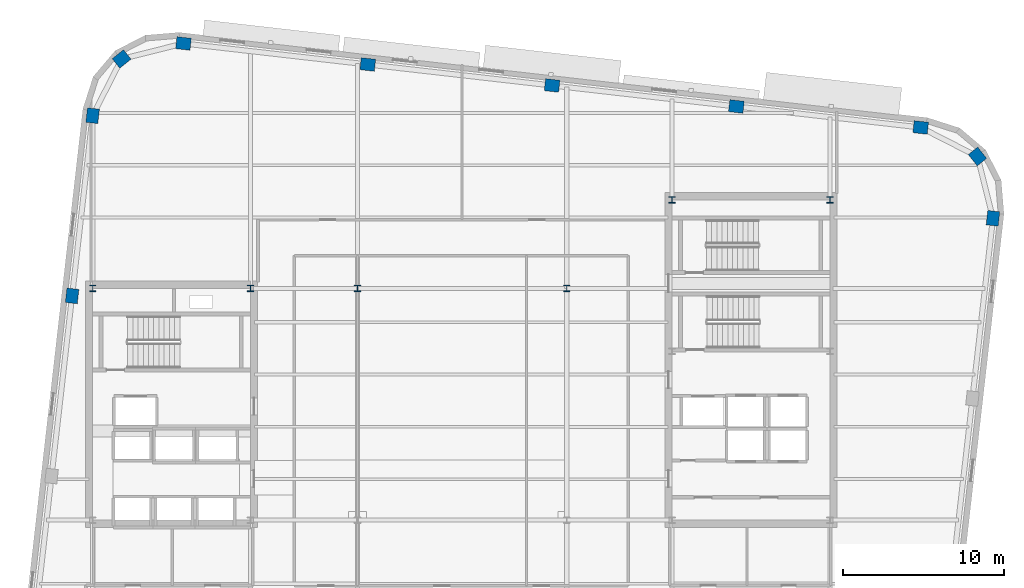
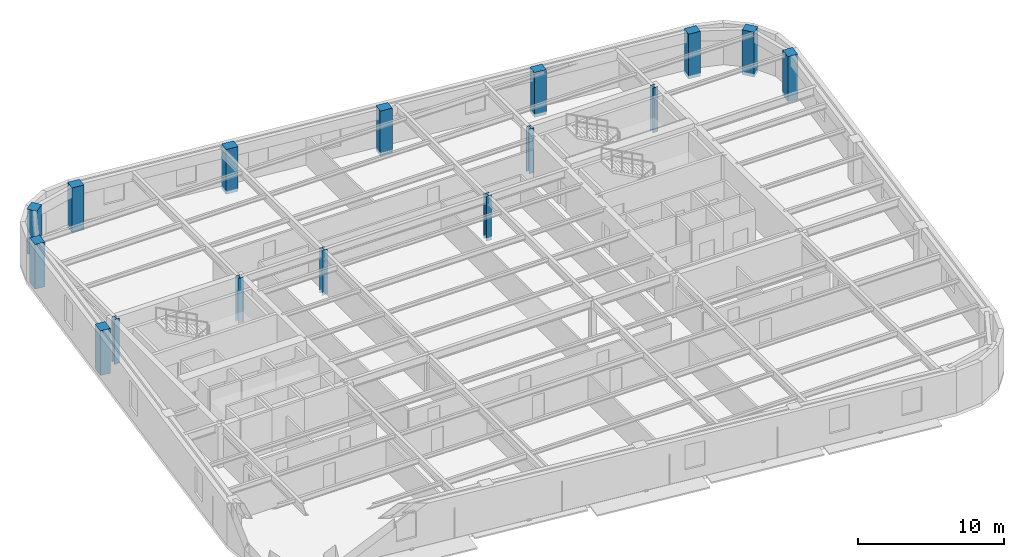
# One storey, part 2 of 12: 16 columns.
"""IFC4 building model written with IfcOpenShell, lengths in metres."""

import ifcopenshell
import ifcopenshell.guid

model = None  # the IFC model being written
_history = None  # IfcOwnerHistory: only IFC2X3 demands one
_inside = {}  # id of a spatial element -> (the spatial element, [elements in it])
_under = {}  # id of a project, library or spatial element -> (it, [spatial elements below it])
_declared = {}  # id of a project -> (the project, [libraries it declares])
_typed = {}  # id of a type object -> (the type object, [elements of that type])
_made_of = {}  # id of a material, layer set ... -> (it, [elements and type objects made of it])


def new_model(schema):
    """Start an empty IFC model of exactly this schema.

    Asked for "IFC4X3", IfcOpenShell would pick the latest addendum, in which some entities
    have other attributes; the version numbers below select the first issue.
    IFC2X3 requires an IfcOwnerHistory on every rooted entity: one is made here for all.
    """
    global model, _history
    if schema == "IFC4X3":
        model = ifcopenshell.file(schema_version=(4, 3, 0, 0))
    else:
        model = ifcopenshell.file(schema=schema)
    _inside.clear()
    _under.clear()
    _declared.clear()
    _typed.clear()
    _made_of.clear()
    _history = None
    if model.schema == "IFC2X3":
        org = make("IfcOrganization", Name="unknown")
        user = make(
            "IfcPersonAndOrganization",
            ThePerson=make("IfcPerson", FamilyName="unknown"),
            TheOrganization=org,
        )
        app = make(
            "IfcApplication",
            ApplicationDeveloper=org,
            Version="unknown",
            ApplicationFullName="unknown",
            ApplicationIdentifier="unknown",
        )
        _history = make(
            "IfcOwnerHistory",
            OwningUser=user,
            OwningApplication=app,
            ChangeAction="ADDED",
            CreationDate=0,
        )
    return model


def make(cls, **values):
    """One entity of the class cls with the attributes given. An attribute that is None is left unset."""
    return model.create_entity(
        cls, **{name: value for name, value in values.items() if value is not None}
    )


def rooted(cls, **values):
    """An entity with a GlobalId (a new one), such as an element, a storey or a relation."""
    return make(cls, GlobalId=ifcopenshell.guid.new(), OwnerHistory=_history, **values)


def si_unit(unit_type, name, prefix=None):
    """IfcSIUnit, for example si_unit("LENGTHUNIT", "METRE", prefix="MILLI")."""
    return make("IfcSIUnit", UnitType=unit_type, Prefix=prefix, Name=name)


def assignment(units):
    """IfcUnitAssignment: the units of a project."""
    return None if units is None else make("IfcUnitAssignment", Units=units)


def point(xyz):
    """IfcCartesianPoint."""
    return None if xyz is None else make("IfcCartesianPoint", Coordinates=xyz)


def direction(xyz):
    """IfcDirection."""
    return None if xyz is None else make("IfcDirection", DirectionRatios=xyz)


def frame(location, z_axis=None, x_axis=None):
    """IfcAxis2Placement3D, a coordinate frame: its origin and axes. An axis left out is left unset."""
    return make(
        "IfcAxis2Placement3D",
        Location=point(location),
        Axis=direction(z_axis),
        RefDirection=direction(x_axis),
    )


def frame_2d(location, x_axis=None):
    """IfcAxis2Placement2D, a coordinate frame in the plane: its origin and x axis."""
    return make(
        "IfcAxis2Placement2D", Location=point(location), RefDirection=direction(x_axis)
    )


def origin():
    """The frame at (0, 0, 0) with its axes left unset."""
    return frame((0.0, 0.0, 0.0))


def origin_2d():
    """The frame at (0, 0) in the plane with its x axis left unset."""
    return frame_2d((0.0, 0.0))


def place(relative_to, where):
    """IfcLocalPlacement: puts the frame where relative to a parent placement (None: the world)."""
    return make(
        "IfcLocalPlacement", PlacementRelTo=relative_to, RelativePlacement=where
    )


def context(
    kind, dimensions, precision=None, world=None, true_north=None, identifier=None
):
    """IfcGeometricRepresentationContext, for example the 3D "Model" context."""
    return make(
        "IfcGeometricRepresentationContext",
        ContextIdentifier=identifier,
        ContextType=kind,
        CoordinateSpaceDimension=dimensions,
        Precision=precision,
        WorldCoordinateSystem=world,
        TrueNorth=true_north,
    )


def subcontext(parent, identifier, kind, view, scale=None):
    """IfcGeometricRepresentationSubContext, for example "Body" below "Model"."""
    return make(
        "IfcGeometricRepresentationSubContext",
        ContextIdentifier=identifier,
        ContextType=kind,
        ParentContext=parent,
        TargetScale=scale,
        TargetView=view,
    )


def project(units=None, contexts=None):
    """IfcProject with its units and contexts."""
    return rooted(
        "IfcProject",
        Name="project",
        RepresentationContexts=contexts,
        UnitsInContext=assignment(units),
    )


def spatial(cls, under=None, at=None, **own):
    """A site, building, storey or space (cls), placed at a placement, below another one or the project."""
    s = rooted(cls, ObjectPlacement=at, **own)
    if under is not None:
        _under.setdefault(under.id(), (under, []))[1].append(s)
    return s


def profile(cls, at=None, kind="AREA", **sizes):
    """A parametric profile (cls). Its sizes go by their IFC names, for example OverallWidth=200.0."""
    return make(cls, ProfileType=kind, Position=at, **sizes)


def rectangle(**sizes):
    """IfcRectangleProfileDef."""
    return profile("IfcRectangleProfileDef", **sizes)


def i_section(**sizes):
    """IfcIShapeProfileDef."""
    return profile("IfcIShapeProfileDef", **sizes)


def extrude(swept, where, along, depth):
    """IfcExtrudedAreaSolid: the profile swept, set in the frame where, extruded along a direction by depth."""
    return make(
        "IfcExtrudedAreaSolid",
        SweptArea=swept,
        Position=where,
        ExtrudedDirection=direction(along),
        Depth=depth,
    )


def shape(context_of_items, identifier, shape_type, items):
    """IfcShapeRepresentation: the items that make up one representation, for example the "Body"."""
    return make(
        "IfcShapeRepresentation",
        ContextOfItems=context_of_items,
        RepresentationIdentifier=identifier,
        RepresentationType=shape_type,
        Items=items,
    )


def material(Name=None, Category=None):
    """IfcMaterial."""
    return make("IfcMaterial", Name=Name, Category=Category)


def material_profile(
    of_material, cross_section, Name=None, Category=None, Priority=None
):
    """IfcMaterialProfile: a cross section and its material."""
    return make(
        "IfcMaterialProfile",
        Name=Name,
        Material=of_material,
        Profile=cross_section,
        Priority=Priority,
        Category=Category,
    )


def profile_set(profiles, Name=None, composite=None):
    """IfcMaterialProfileSet."""
    return make(
        "IfcMaterialProfileSet",
        Name=Name,
        MaterialProfiles=profiles,
        CompositeProfile=composite,
    )


def made_of(thing, what):
    """Note that an element or type object is made of a material, layer set ...; save() writes the relation."""
    if what is not None:
        _made_of.setdefault(what.id(), (what, []))[1].append(thing)
    return thing


def type_object(cls, material=None, **own):
    """A type object (cls), such as IfcWallType, which elements share."""
    return made_of(rooted(cls, **own), material)


def element(
    cls,
    number,
    at=None,
    inside=None,
    cuts=None,
    type_object=None,
    material=None,
    context=None,
    identifier="Body",
    shape_type=None,
    held_by="IfcProductDefinitionShape",
    body=None,
    shapes=None,
    **own,
):
    """One element of the class cls, such as IfcWall. Its Tag is "e" and its number.

    at: its placement. inside: the storey or other place that contains it. cuts: it is an
    opening in that element (IfcRelVoidsElement). A single representation is given by context,
    identifier, shape_type and body (its items); several are given by shapes. held_by: the class
    of the entity that holds the representations. save() writes the other relations.
    """
    e = rooted(cls, Tag="e%d" % number, ObjectPlacement=at, **own)
    if body is not None:
        shapes = [shape(context, identifier, shape_type, body)]
    if shapes is not None:
        e.Representation = make(held_by, Representations=shapes)
    if inside is not None:
        _inside.setdefault(inside.id(), (inside, []))[1].append(e)
    if cuts is not None:
        rooted(
            "IfcRelVoidsElement", RelatingBuildingElement=cuts, RelatedOpeningElement=e
        )
    if type_object is not None:
        _typed.setdefault(type_object.id(), (type_object, []))[1].append(e)
    return made_of(e, material)


def aggregate(whole, parts):
    """IfcRelAggregates: a whole, such as a stair, and the parts it consists of."""
    return rooted("IfcRelAggregates", RelatingObject=whole, RelatedObjects=parts)


def save(model, path):
    """Write the relations noted so far, then the file.

    IfcRelAggregates (storeys below a building ...), IfcRelContainedInSpatialStructure (elements
    in a storey), IfcRelDefinesByType, IfcRelAssociatesMaterial and IfcRelDeclares: one each for
    every whole, place, type object, material and project.
    """
    for whole, parts in _under.values():
        aggregate(whole, parts)
    for where, things in _inside.values():
        rooted(
            "IfcRelContainedInSpatialStructure",
            RelatedElements=things,
            RelatingStructure=where,
        )
    for kind, things in _typed.values():
        rooted("IfcRelDefinesByType", RelatedObjects=things, RelatingType=kind)
    for what, things in _made_of.values():
        rooted("IfcRelAssociatesMaterial", RelatedObjects=things, RelatingMaterial=what)
    for by, libraries in _declared.values():
        rooted("IfcRelDeclares", RelatingContext=by, RelatedDefinitions=libraries)
    model.write(path)


model = new_model("IFC4")

# Units and contexts
model_context = context("Model", 3, precision=1e-05, world=origin(), true_north=direction((0.0, 1.0)))
body_context = subcontext(model_context, "Body", "Model", "MODEL_VIEW")
ifc_project = project(units=[si_unit("LENGTHUNIT", "METRE"), si_unit("AREAUNIT", "SQUARE_METRE"), si_unit("VOLUMEUNIT", "CUBIC_METRE"), si_unit("PLANEANGLEUNIT", "RADIAN"), si_unit("MASSUNIT", "GRAM", prefix="KILO")], contexts=[model_context])

# Site, building, storey
site_placement = place(None, origin())
site = spatial("IfcSite", under=ifc_project, at=site_placement, CompositionType="ELEMENT")
building_placement = place(site_placement, origin())
building = spatial("IfcBuilding", under=site, at=building_placement, Name="Kolvaren Arena Tower", CompositionType="ELEMENT")
storey_placement = place(building_placement, frame((0.0, 0.0, 220.949951171875)))
storey = spatial("IfcBuildingStorey", under=building, at=storey_placement, Name="L53", CompositionType="ELEMENT", Elevation=220.949951171875)

# Columns
ifc_material_1 = material(Name="Precast concrete C55/67", Category="concrete")
ifc_material_profile_1 = material_profile(ifc_material_1, rectangle(XDim=0.89990234375, YDim=0.75, at=origin_2d()), Name="RC-900x750")
ifc_profile_set_1 = profile_set([ifc_material_profile_1], Name="Precast concrete C55/67")
column_type_1 = type_object("IfcColumnType", Name="EXCOL-Z4", PredefinedType="COLUMN", material=ifc_profile_set_1)
for number, where, z_axis, x_axis, name in (
    (1, (70.482177734375, 38.20458984375, -0.27001953125), (0.0, 0.0, 1.0), (0.113203213768, 0.993571855677, 0.0), "Exoskeleton Perimeter Column 10 (L53)"),
    (2, (69.519775390625, 42.047119140625, -0.27001953125), (0.0, 0.0, 1.0), (-0.622514636638, 0.782608156852, 0.0), "Exoskeleton Perimeter Column 11 (L53)"),
    (3, (65.9921875, 43.84912109375, -0.27001953125), (0.0, 0.0, 1.0), (0.993571855677, -0.113203213768, 0.0), "Exoskeleton Perimeter Column 12 (L53)"),
    (4, (54.54150390625, 45.15380859375, -0.27001953125), (0.0, 0.0, 1.0), (0.993571855677, -0.113203213768, 0.0), "Exoskeleton Perimeter Column 13 (L53)"),
    (5, (43.090576171875, 46.45849609375, -0.27001953125), (0.0, 0.0, 1.0), (0.993571855677, -0.113203213768, 0.0), "Exoskeleton Perimeter Column 14 (L53)"),
    (6, (31.6396484375, 47.76318359375, -0.27001953125), (0.0, 0.0, 1.0), (0.993571855677, -0.113203213768, 0.0), "Exoskeleton Perimeter Column 15 (L53)"),
    (7, (20.188720703125, 49.06787109375, -0.27001953125), (0.0, 0.0, 1.0), (0.993571855677, -0.113203213768, 0.0), "Exoskeleton Perimeter Column 16 (L53)"),
    (8, (16.34619140625, 48.10546875, -0.27001953125), (0.0, 0.0, 1.0), (0.782608156852, 0.622514636638, 0.0), "Exoskeleton Perimeter Column 17 (L53)"),
    (9, (14.544189453125, 44.577880859375, -0.27001953125), (0.0, 0.0, 1.0), (0.113203213768, 0.993571855677, 0.0), "Exoskeleton Perimeter Column 18 (L53)"),
    (10, (13.268798828125, 33.3837890625, -0.27001953125), (0.0, 0.0, 1.0), (0.113203213768, 0.993571855677, 0.0), "Exoskeleton Perimeter Column 19 (L53)"),
):
    element("IfcColumn", number, at=place(storey_placement, frame(where, z_axis=z_axis, x_axis=x_axis)), inside=storey, type_object=column_type_1, Name=name, PredefinedType="COLUMN", context=body_context, shape_type="SweptSolid", body=[
        extrude(rectangle(XDim=0.89990234375, YDim=0.75, at=origin_2d()), origin(), (0.0, 0.0, 1.0), 3.75),
    ])
ifc_material_2 = material(Name="Steel ASTM A913 Grade 65", Category="steel")
ifc_material_profile_2 = material_profile(ifc_material_2, i_section(OverallWidth=0.39892578125, OverallDepth=0.39306640625, WebThickness=0.022705078125, FlangeThickness=0.03662109375, FilletRadius=0.02001953125, at=origin_2d()), Name="W360x287")
ifc_profile_set_2 = profile_set([ifc_material_profile_2], Name="Steel ASTM A913 Grade 65")
column_type_2 = type_object("IfcColumnType", Name="SCOL-Z4", PredefinedType="COLUMN", material=ifc_profile_set_2)
for number, where, z_axis, x_axis, name in (
    (11, (14.550048828125, 33.85009765625, -0.27001953125), (0.0, 0.0, 1.0), (1.0, 0.0, 0.0), "Core Boundary Column WC-NW (L53)"),
    (12, (24.35009765625, 33.85009765625, -0.27001953125), (0.0, 0.0, 1.0), (1.0, 0.0, 0.0), "Core Boundary Column WC-NE (L53)"),
    (13, (50.550048828125, 39.35009765625, -0.27001953125), (0.0, 0.0, 1.0), (1.0, 0.0, 0.0), "Core Boundary Column EC-NW (L53)"),
    (14, (60.35009765625, 39.35009765625, -0.27001953125), (0.0, 0.0, 1.0), (1.0, 0.0, 0.0), "Core Boundary Column EC-NE (L53)"),
    (15, (31.0, 33.85009765625, -0.27001953125), (0.0, 0.0, 1.0), (1.0, 0.0, 0.0), "Interior Gravity Column TC-NW (L53)"),
    (16, (44.0, 33.85009765625, -0.27001953125), (0.0, 0.0, 1.0), (1.0, 0.0, 0.0), "Interior Gravity Column TC-NE (L53)"),
):
    element("IfcColumn", number, at=place(storey_placement, frame(where, z_axis=z_axis, x_axis=x_axis)), inside=storey, type_object=column_type_2, Name=name, PredefinedType="COLUMN", context=body_context, shape_type="SweptSolid", body=[
        extrude(i_section(OverallWidth=0.39892578125, OverallDepth=0.39306640625, WebThickness=0.022705078125, FlangeThickness=0.03662109375, FilletRadius=0.02001953125, at=origin_2d()), origin(), (0.0, 0.0, 1.0), 3.75),
    ])

save(model, "model.ifc")
